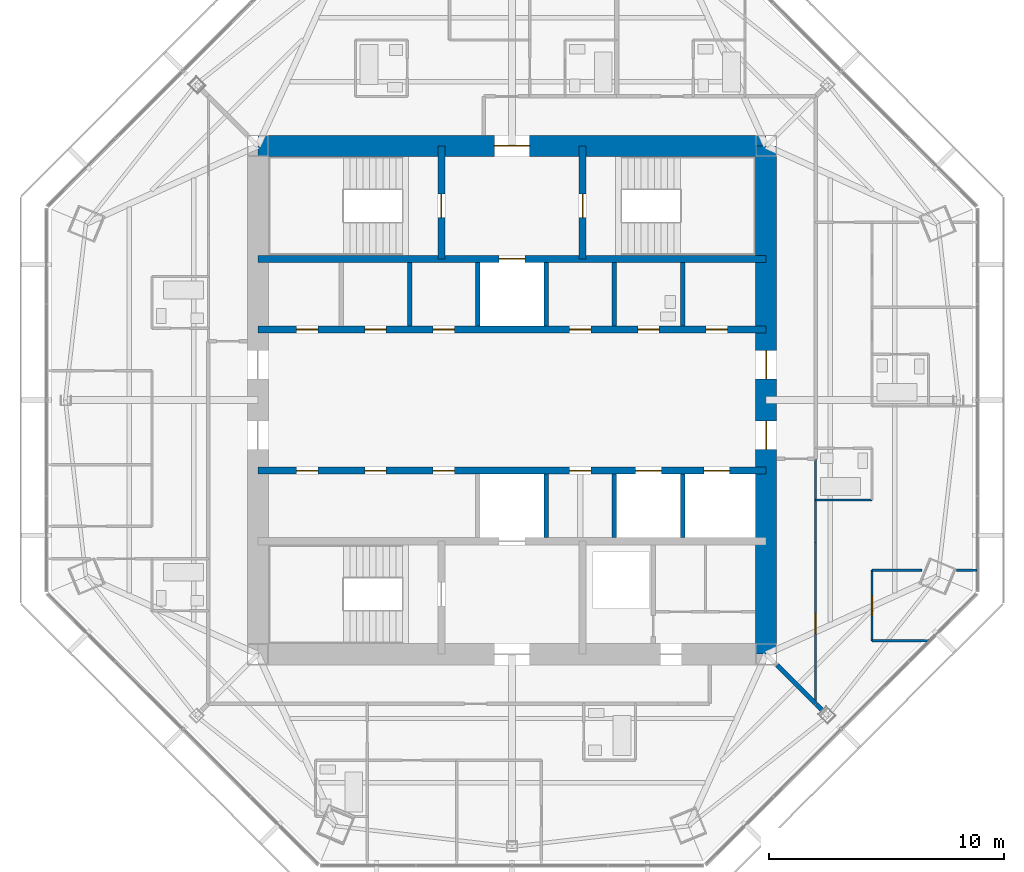
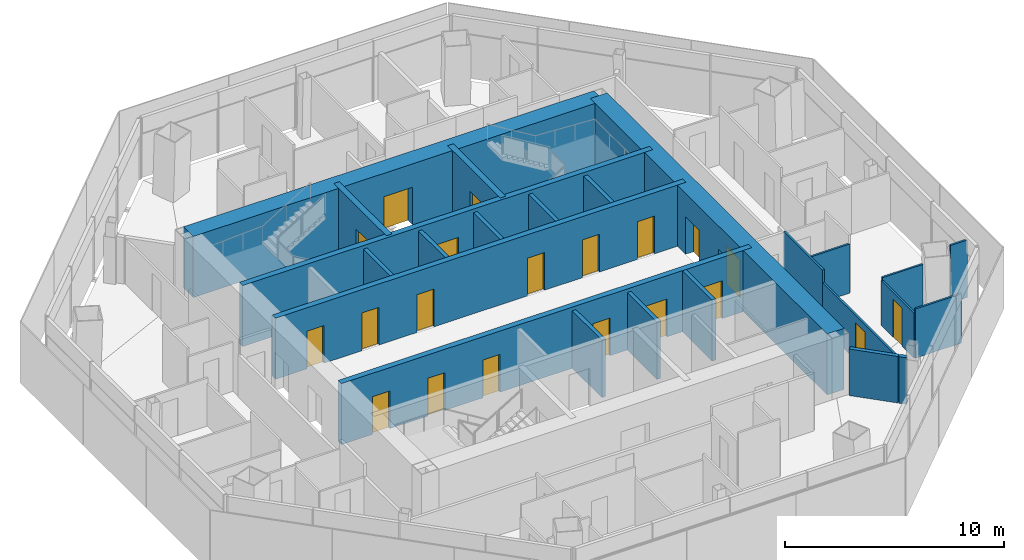
# One storey, part 10 of 15: 24 walls, 20 doors, 20 openings.
"""IFC4 building model written with IfcOpenShell, lengths in metres."""

from ifc_helpers import new_model, si_unit, direction, frame, frame_2d, origin, place, context, subcontext, project, spatial, rectangle, extrude, material, layer, layer_set, type_object, element, fill, save


model = new_model("IFC4")

# Units and contexts
model_context = context("Model", 3, precision=1e-05, world=origin(), true_north=direction((0.0, 1.0)))
body_context = subcontext(model_context, "Body", "Model", "MODEL_VIEW")
ifc_project = project(units=[si_unit("LENGTHUNIT", "METRE"), si_unit("AREAUNIT", "SQUARE_METRE"), si_unit("VOLUMEUNIT", "CUBIC_METRE"), si_unit("PLANEANGLEUNIT", "RADIAN"), si_unit("MASSUNIT", "GRAM", prefix="KILO")], contexts=[model_context])

# Site, building, storey
site_placement = place(None, origin())
site = spatial("IfcSite", under=ifc_project, at=site_placement, CompositionType="ELEMENT")
building_placement = place(site_placement, origin())
building = spatial("IfcBuilding", under=site, at=building_placement, Name="Mashrafa Tower", CompositionType="ELEMENT")
storey_placement = place(building_placement, frame((0.0, 0.0, 291.199951171875)))
storey = spatial("IfcBuildingStorey", under=building, at=storey_placement, Name="L71", CompositionType="ELEMENT", Elevation=291.199951171875)

# Walls
ifc_material_1 = material(Name="Gypsum board on steel studs", Category="steel")
ifc_layer_1 = layer(ifc_material_1, 0.199951171875)
ifc_layer_set_1 = layer_set([ifc_layer_1], Name="Acoustic partition 200 1 hr")
wall_type_1 = type_object("IfcWallType", Name="Acoustic partition 200 1 hr", PredefinedType="PARTITIONING", material=ifc_layer_set_1)
wall_1_placement = place(storey_placement, frame((12.925537109375, -12.925537109375, 0.0), z_axis=(0.0, 0.0, 1.0), x_axis=(0.707106781187, -0.707106781187, 0.0)))
element("IfcWall", 1, at=wall_1_placement, inside=storey, type_object=wall_type_1, Name="Acoustic wall L71-047", PredefinedType="PARTITIONING", context=body_context, shape_type="SweptSolid", body=[
    extrude(rectangle(XDim=0.357421875, YDim=0.199951171875, at=frame_2d((0.1787109375, 0.0))), origin(), (0.0, 0.0, 1.0), 2.590576171875),
])
wall_2_placement = place(storey_placement, frame((12.90087890625, -12.90087890625, 0.0), z_axis=(0.0, 0.0, 1.0), x_axis=(-0.707106781187, 0.707106781187, 0.0)))
element("IfcWall", 2, at=wall_2_placement, inside=storey, type_object=wall_type_1, Name="Acoustic wall L71-096", PredefinedType="PARTITIONING", context=body_context, shape_type="SweptSolid", body=[
    extrude(rectangle(XDim=2.307861328125, YDim=0.199951171875, at=frame_2d((1.15380859375, 0.0))), origin(), (0.0, 0.0, 1.0), 2.590576171875),
])

# Wall, openings, doors
ifc_material_2 = material(Name="Concrete C50/60", Category="concrete")
ifc_layer_2 = layer(ifc_material_2, 0.300048828125)
ifc_layer_set_2 = layer_set([ifc_layer_2], Name="Core wall 300 C50/60")
wall_type_2 = type_object("IfcWallType", Name="Core wall 300 C50/60", PredefinedType="SOLIDWALL", material=ifc_layer_set_2)
wall_3_placement = place(storey_placement, frame((-10.800048828125, 3.0, 0.0), z_axis=(0.0, 0.0, 1.0), x_axis=(1.0, 0.0, 0.0)))
wall_3 = element("IfcWall", 3, at=wall_3_placement, inside=storey, type_object=wall_type_2, Name="Core wall CH-N L71", PredefinedType="SOLIDWALL", context=body_context, shape_type="SweptSolid", body=[
    extrude(rectangle(XDim=21.60009765625, YDim=0.300048828125, at=frame_2d((10.800048828125, 0.0))), origin(), (0.0, 0.0, 1.0), 3.400146484375),
])
opening_1_placement = place(wall_3_placement, frame((1.64990234375, 0.0, 0.0)))
opening_1 = element("IfcOpeningElement", 4, at=opening_1_placement, cuts=wall_3, Name="Opening 71.043", PredefinedType="OPENING", context=body_context, shape_type="SweptSolid", body=[
    extrude(rectangle(XDim=0.89990234375, YDim=2.10009765625, at=frame_2d((0.449951171875, 1.050048828125))), frame((0.0, 0.159912109375, 0.0), z_axis=(0.0, -1.0, 0.0), x_axis=(1.0, 0.0, 0.0)), (0.0, 0.0, 1.0), 0.320068359375),
])
opening_2_placement = place(wall_3_placement, frame((4.550048828125, 0.0, 0.0)))
opening_2 = element("IfcOpeningElement", 5, at=opening_2_placement, cuts=wall_3, Name="Opening 71.044", PredefinedType="OPENING", context=body_context, shape_type="SweptSolid", body=[
    extrude(rectangle(XDim=0.89990234375, YDim=2.10009765625, at=frame_2d((0.449951171875, 1.050048828125))), frame((0.0, 0.159912109375, 0.0), z_axis=(0.0, -1.0, 0.0), x_axis=(1.0, 0.0, 0.0)), (0.0, 0.0, 1.0), 0.320068359375),
])
opening_3_placement = place(wall_3_placement, frame((13.25, 0.0, 0.0)))
opening_3 = element("IfcOpeningElement", 6, at=opening_3_placement, cuts=wall_3, Name="Opening 71.045", PredefinedType="OPENING", context=body_context, shape_type="SweptSolid", body=[
    extrude(rectangle(XDim=0.89990234375, YDim=2.10009765625, at=frame_2d((0.449951171875, 1.050048828125))), frame((0.0, 0.159912109375, 0.0), z_axis=(0.0, -1.0, 0.0), x_axis=(1.0, 0.0, 0.0)), (0.0, 0.0, 1.0), 0.320068359375),
])
opening_4_placement = place(wall_3_placement, frame((16.14990234375, 0.0, 0.0)))
opening_4 = element("IfcOpeningElement", 7, at=opening_4_placement, cuts=wall_3, Name="Opening 71.046", PredefinedType="OPENING", context=body_context, shape_type="SweptSolid", body=[
    extrude(rectangle(XDim=0.89990234375, YDim=2.10009765625, at=frame_2d((0.449951171875, 1.050048828125))), frame((0.0, 0.159912109375, 0.0), z_axis=(0.0, -1.0, 0.0), x_axis=(1.0, 0.0, 0.0)), (0.0, 0.0, 1.0), 0.320068359375),
])
opening_5_placement = place(wall_3_placement, frame((7.449951171875, 0.0, 0.0)))
opening_5 = element("IfcOpeningElement", 8, at=opening_5_placement, cuts=wall_3, Name="Opening 71.051", PredefinedType="OPENING", context=body_context, shape_type="SweptSolid", body=[
    extrude(rectangle(XDim=0.89990234375, YDim=2.10009765625, at=frame_2d((0.449951171875, 1.050048828125))), frame((0.0, 0.159912109375, 0.0), z_axis=(0.0, -1.0, 0.0), x_axis=(1.0, 0.0, 0.0)), (0.0, 0.0, 1.0), 0.320068359375),
])
opening_6_placement = place(wall_3_placement, frame((19.050048828125, 0.0, 0.0)))
opening_6 = element("IfcOpeningElement", 9, at=opening_6_placement, cuts=wall_3, Name="Opening 71.052", PredefinedType="OPENING", context=body_context, shape_type="SweptSolid", body=[
    extrude(rectangle(XDim=0.89990234375, YDim=2.10009765625, at=frame_2d((0.449951171875, 1.050048828125))), frame((0.0, 0.159912109375, 0.0), z_axis=(0.0, -1.0, 0.0), x_axis=(1.0, 0.0, 0.0)), (0.0, 0.0, 1.0), 0.320068359375),
])
ifc_material_3 = material(Name="Timber door", Category="wood")
door_type_1 = type_object("IfcDoorType", Name="Store door 900 x 2100", OperationType="USERDEFINED", PredefinedType="DOOR", material=ifc_material_3)
door_1_placement = place(opening_1_placement, origin())
door_1 = element("IfcDoor", 10, at=door_1_placement, inside=storey, type_object=door_type_1, Name="Refuse Chute Room L71 door", OperationType="SINGLE_SWING_RIGHT", OverallHeight=2.10009765625, OverallWidth=0.89990234375, PredefinedType="DOOR", context=body_context, shape_type="SweptSolid", body=[
    extrude(rectangle(XDim=0.89990234375, YDim=2.10009765625, at=frame_2d((0.449951171875, 1.050048828125))), frame((0.0, 0.02490234375, 0.0), z_axis=(0.0, -1.0, 0.0), x_axis=(1.0, 0.0, 0.0)), (0.0, 0.0, 1.0), 0.050048828125),
])
fill(opening_1, door_1)
door_2_placement = place(opening_2_placement, origin())
door_2 = element("IfcDoor", 11, at=door_2_placement, inside=storey, type_object=door_type_1, Name="Housekeeping Room L71 door", OperationType="SINGLE_SWING_LEFT", OverallHeight=2.10009765625, OverallWidth=0.89990234375, PredefinedType="DOOR", context=body_context, shape_type="SweptSolid", body=[
    extrude(rectangle(XDim=0.89990234375, YDim=2.10009765625, at=frame_2d((0.449951171875, 1.050048828125))), frame((0.0, 0.02490234375, 0.0), z_axis=(0.0, -1.0, 0.0), x_axis=(1.0, 0.0, 0.0)), (0.0, 0.0, 1.0), 0.050048828125),
])
fill(opening_2, door_2)
door_3_placement = place(opening_3_placement, origin())
door_3 = element("IfcDoor", 12, at=door_3_placement, inside=storey, type_object=door_type_1, Name="Cleaner's Store L71 door", OperationType="SINGLE_SWING_LEFT", OverallHeight=2.10009765625, OverallWidth=0.89990234375, PredefinedType="DOOR", context=body_context, shape_type="SweptSolid", body=[
    extrude(rectangle(XDim=0.89990234375, YDim=2.10009765625, at=frame_2d((0.449951171875, 1.050048828125))), frame((0.0, 0.02490234375, 0.0), z_axis=(0.0, -1.0, 0.0), x_axis=(1.0, 0.0, 0.0)), (0.0, 0.0, 1.0), 0.050048828125),
])
fill(opening_3, door_3)
door_4_placement = place(opening_5_placement, origin())
door_4 = element("IfcDoor", 13, at=door_4_placement, inside=storey, type_object=door_type_1, Name="Residents' Store L71-A3 door", OperationType="SINGLE_SWING_LEFT", OverallHeight=2.10009765625, OverallWidth=0.89990234375, PredefinedType="DOOR", context=body_context, shape_type="SweptSolid", body=[
    extrude(rectangle(XDim=0.89990234375, YDim=2.10009765625, at=frame_2d((0.449951171875, 1.050048828125))), frame((0.0, 0.02490234375, 0.0), z_axis=(0.0, -1.0, 0.0), x_axis=(1.0, 0.0, 0.0)), (0.0, 0.0, 1.0), 0.050048828125),
])
fill(opening_5, door_4)
door_5_placement = place(opening_6_placement, origin())
door_5 = element("IfcDoor", 14, at=door_5_placement, inside=storey, type_object=door_type_1, Name="Residents' Store L71-K2 door", OperationType="SINGLE_SWING_LEFT", OverallHeight=2.10009765625, OverallWidth=0.89990234375, PredefinedType="DOOR", context=body_context, shape_type="SweptSolid", body=[
    extrude(rectangle(XDim=0.89990234375, YDim=2.10009765625, at=frame_2d((0.449951171875, 1.050048828125))), frame((0.0, 0.02490234375, 0.0), z_axis=(0.0, -1.0, 0.0), x_axis=(1.0, 0.0, 0.0)), (0.0, 0.0, 1.0), 0.050048828125),
])
fill(opening_6, door_5)
ifc_material_4 = material(Name="Timber door", Category="wood")
door_type_2 = type_object("IfcDoorType", Name="Toilet door 900 x 2100", OperationType="USERDEFINED", PredefinedType="DOOR", material=ifc_material_4)
door_6_placement = place(opening_4_placement, origin())
door_6 = element("IfcDoor", 15, at=door_6_placement, inside=storey, type_object=door_type_2, Name="Staff WC L71 door", OperationType="SINGLE_SWING_LEFT", OverallHeight=2.10009765625, OverallWidth=0.89990234375, PredefinedType="DOOR", context=body_context, shape_type="SweptSolid", body=[
    extrude(rectangle(XDim=0.89990234375, YDim=2.10009765625, at=frame_2d((0.449951171875, 1.050048828125))), frame((0.0, 0.02490234375, 0.0), z_axis=(0.0, -1.0, 0.0), x_axis=(1.0, 0.0, 0.0)), (0.0, 0.0, 1.0), 0.050048828125),
])
fill(opening_4, door_6)

# Wall, opening, door
wall_4_placement = place(storey_placement, frame((-10.800048828125, 6.0, 0.0), z_axis=(0.0, 0.0, 1.0), x_axis=(1.0, 0.0, 0.0)))
wall_4 = element("IfcWall", 16, at=wall_4_placement, inside=storey, type_object=wall_type_2, Name="Core wall CB-N L71", PredefinedType="SOLIDWALL", context=body_context, shape_type="SweptSolid", body=[
    extrude(rectangle(XDim=21.60009765625, YDim=0.300048828125, at=frame_2d((10.800048828125, 0.0))), origin(), (0.0, 0.0, 1.0), 3.400146484375),
])
opening_7_placement = place(wall_4_placement, frame((10.25, 0.0, 0.0)))
opening_7 = element("IfcOpeningElement", 17, at=opening_7_placement, cuts=wall_4, Name="Opening 71.F1", PredefinedType="OPENING", context=body_context, shape_type="SweptSolid", body=[
    extrude(rectangle(XDim=1.10009765625, YDim=2.10009765625, at=frame_2d((0.550048828125, 1.050048828125))), frame((0.0, 0.159912109375, 0.0), z_axis=(0.0, -1.0, 0.0), x_axis=(1.0, 0.0, 0.0)), (0.0, 0.0, 1.0), 0.320068359375),
])
ifc_material_5 = material(Name="Steel door", Category="steel")
door_type_3 = type_object("IfcDoorType", Name="Lift landing door 1100 x 2100 90 min", OperationType="DOUBLE_DOOR_SLIDING", PredefinedType="DOOR", material=ifc_material_5)
door_7_placement = place(opening_7_placement, origin())
door_7 = element("IfcDoor", 18, at=door_7_placement, inside=storey, type_object=door_type_3, Name="Lift landing door F1 L71", OperationType="DOUBLE_DOOR_SLIDING", OverallHeight=2.10009765625, OverallWidth=1.10009765625, PredefinedType="DOOR", context=body_context, shape_type="SweptSolid", body=[
    extrude(rectangle(XDim=1.10009765625, YDim=2.10009765625, at=frame_2d((0.550048828125, 1.050048828125))), frame((0.0, 0.02490234375, 0.0), z_axis=(0.0, -1.0, 0.0), x_axis=(1.0, 0.0, 0.0)), (0.0, 0.0, 1.0), 0.050048828125),
])
fill(opening_7, door_7)

wall_5_placement = place(storey_placement, frame((-3.0, 6.0, 0.0), z_axis=(0.0, 0.0, 1.0), x_axis=(0.0, 1.0, 0.0)))
wall_5 = element("IfcWall", 19, at=wall_5_placement, inside=storey, type_object=wall_type_2, Name="Core wall CX-NW L71", PredefinedType="SOLIDWALL", context=body_context, shape_type="SweptSolid", body=[
    extrude(rectangle(XDim=4.800048828125, YDim=0.300048828125, at=frame_2d((2.39990234375, 0.0))), origin(), (0.0, 0.0, 1.0), 3.400146484375),
])
opening_8_placement = place(wall_5_placement, frame((1.75, 0.0, 0.0)))
opening_8 = element("IfcOpeningElement", 20, at=opening_8_placement, cuts=wall_5, Name="Opening 71.036", PredefinedType="OPENING", context=body_context, shape_type="SweptSolid", body=[
    extrude(rectangle(XDim=1.0, YDim=2.10009765625, at=frame_2d((0.5, 1.050048828125))), frame((0.0, 0.159912109375, 0.0), z_axis=(0.0, -1.0, 0.0), x_axis=(1.0, 0.0, 0.0)), (0.0, 0.0, 1.0), 0.320068359375),
])
ifc_material_6 = material(Name="Steel door", Category="steel")
door_type_4 = type_object("IfcDoorType", Name="Stair door 1000 x 2100 90 min", OperationType="USERDEFINED", PredefinedType="DOOR", material=ifc_material_6)
door_8_placement = place(opening_8_placement, origin())
door_8 = element("IfcDoor", 21, at=door_8_placement, inside=storey, type_object=door_type_4, Name="Stair S1 door L71", OperationType="SINGLE_SWING_LEFT", OverallHeight=2.10009765625, OverallWidth=1.0, PredefinedType="DOOR", context=body_context, shape_type="SweptSolid", body=[
    extrude(rectangle(XDim=1.0, YDim=2.10009765625, at=frame_2d((0.5, 1.050048828125))), frame((0.0, 0.02490234375, 0.0), z_axis=(0.0, -1.0, 0.0), x_axis=(1.0, 0.0, 0.0)), (0.0, 0.0, 1.0), 0.050048828125),
])
fill(opening_8, door_8)

wall_6_placement = place(storey_placement, frame((3.0, 6.0, 0.0), z_axis=(0.0, 0.0, 1.0), x_axis=(0.0, 1.0, 0.0)))
wall_6 = element("IfcWall", 22, at=wall_6_placement, inside=storey, type_object=wall_type_2, Name="Core wall CX-NE L71", PredefinedType="SOLIDWALL", context=body_context, shape_type="SweptSolid", body=[
    extrude(rectangle(XDim=4.800048828125, YDim=0.300048828125, at=frame_2d((2.39990234375, 0.0))), origin(), (0.0, 0.0, 1.0), 3.400146484375),
])
opening_9_placement = place(wall_6_placement, frame((1.75, 0.0, 0.0)))
opening_9 = element("IfcOpeningElement", 23, at=opening_9_placement, cuts=wall_6, Name="Opening 71.037", PredefinedType="OPENING", context=body_context, shape_type="SweptSolid", body=[
    extrude(rectangle(XDim=1.0, YDim=2.10009765625, at=frame_2d((0.5, 1.050048828125))), frame((0.0, 0.159912109375, 0.0), z_axis=(0.0, -1.0, 0.0), x_axis=(1.0, 0.0, 0.0)), (0.0, 0.0, 1.0), 0.320068359375),
])
door_9_placement = place(opening_9_placement, frame((1.0, 0.0, 0.0), z_axis=(0.0, 0.0, 1.0), x_axis=(-1.0, 0.0, 0.0)))
door_9 = element("IfcDoor", 24, at=door_9_placement, inside=storey, type_object=door_type_4, Name="Stair S2 door L71", OperationType="SINGLE_SWING_RIGHT", OverallHeight=2.10009765625, OverallWidth=1.0, PredefinedType="DOOR", context=body_context, shape_type="SweptSolid", body=[
    extrude(rectangle(XDim=1.0, YDim=2.10009765625, at=frame_2d((0.5, 1.050048828125))), frame((0.0, 0.02490234375, 0.0), z_axis=(0.0, -1.0, 0.0), x_axis=(1.0, 0.0, 0.0)), (0.0, 0.0, 1.0), 0.050048828125),
])
fill(opening_9, door_9)

# Wall, openings, doors
wall_7_placement = place(storey_placement, frame((-10.800048828125, -3.0, 0.0), z_axis=(0.0, 0.0, 1.0), x_axis=(1.0, 0.0, 0.0)))
wall_7 = element("IfcWall", 25, at=wall_7_placement, inside=storey, type_object=wall_type_2, Name="Core wall CH-S L71", PredefinedType="SOLIDWALL", context=body_context, shape_type="SweptSolid", body=[
    extrude(rectangle(XDim=21.60009765625, YDim=0.300048828125, at=frame_2d((10.800048828125, 0.0))), origin(), (0.0, 0.0, 1.0), 3.400146484375),
])
opening_10_placement = place(wall_7_placement, frame((13.25, 0.0, 0.0)))
opening_10 = element("IfcOpeningElement", 26, at=opening_10_placement, cuts=wall_7, Name="Opening 71.047", PredefinedType="OPENING", context=body_context, shape_type="SweptSolid", body=[
    extrude(rectangle(XDim=0.89990234375, YDim=2.10009765625, at=frame_2d((0.449951171875, 1.050048828125))), frame((0.0, 0.159912109375, 0.0), z_axis=(0.0, -1.0, 0.0), x_axis=(1.0, 0.0, 0.0)), (0.0, 0.0, 1.0), 0.320068359375),
])
opening_11_placement = place(wall_7_placement, frame((1.64990234375, 0.0, 0.0)))
opening_11 = element("IfcOpeningElement", 27, at=opening_11_placement, cuts=wall_7, Name="Opening 71.048", PredefinedType="OPENING", context=body_context, shape_type="SweptSolid", body=[
    extrude(rectangle(XDim=0.89990234375, YDim=2.10009765625, at=frame_2d((0.449951171875, 1.050048828125))), frame((0.0, 0.159912109375, 0.0), z_axis=(0.0, -1.0, 0.0), x_axis=(1.0, 0.0, 0.0)), (0.0, 0.0, 1.0), 0.320068359375),
])
opening_12_placement = place(wall_7_placement, frame((4.550048828125, 0.0, 0.0)))
opening_12 = element("IfcOpeningElement", 28, at=opening_12_placement, cuts=wall_7, Name="Opening 71.049", PredefinedType="OPENING", context=body_context, shape_type="SweptSolid", body=[
    extrude(rectangle(XDim=0.89990234375, YDim=2.10009765625, at=frame_2d((0.449951171875, 1.050048828125))), frame((0.0, 0.159912109375, 0.0), z_axis=(0.0, -1.0, 0.0), x_axis=(1.0, 0.0, 0.0)), (0.0, 0.0, 1.0), 0.320068359375),
])
opening_13_placement = place(wall_7_placement, frame((7.449951171875, 0.0, 0.0)))
opening_13 = element("IfcOpeningElement", 29, at=opening_13_placement, cuts=wall_7, Name="Opening 71.050", PredefinedType="OPENING", context=body_context, shape_type="SweptSolid", body=[
    extrude(rectangle(XDim=0.89990234375, YDim=2.10009765625, at=frame_2d((0.449951171875, 1.050048828125))), frame((0.0, 0.159912109375, 0.0), z_axis=(0.0, -1.0, 0.0), x_axis=(1.0, 0.0, 0.0)), (0.0, 0.0, 1.0), 0.320068359375),
])
opening_14_placement = place(wall_7_placement, frame((16.050048828125, 0.0, 0.0)))
opening_14 = element("IfcOpeningElement", 30, at=opening_14_placement, cuts=wall_7, Name="Opening 71.R1", PredefinedType="OPENING", context=body_context, shape_type="SweptSolid", body=[
    extrude(rectangle(XDim=1.10009765625, YDim=2.10009765625, at=frame_2d((0.550048828125, 1.050048828125))), frame((0.0, 0.159912109375, 0.0), z_axis=(0.0, -1.0, 0.0), x_axis=(1.0, 0.0, 0.0)), (0.0, 0.0, 1.0), 0.320068359375),
])
opening_15_placement = place(wall_7_placement, frame((18.949951171875, 0.0, 0.0)))
opening_15 = element("IfcOpeningElement", 31, at=opening_15_placement, cuts=wall_7, Name="Opening 71.R2", PredefinedType="OPENING", context=body_context, shape_type="SweptSolid", body=[
    extrude(rectangle(XDim=1.10009765625, YDim=2.10009765625, at=frame_2d((0.550048828125, 1.050048828125))), frame((0.0, 0.159912109375, 0.0), z_axis=(0.0, -1.0, 0.0), x_axis=(1.0, 0.0, 0.0)), (0.0, 0.0, 1.0), 0.320068359375),
])
door_10_placement = place(opening_14_placement, origin())
door_10 = element("IfcDoor", 32, at=door_10_placement, inside=storey, type_object=door_type_3, Name="Lift landing door R1 L71", OperationType="DOUBLE_DOOR_SLIDING", OverallHeight=2.10009765625, OverallWidth=1.10009765625, PredefinedType="DOOR", context=body_context, shape_type="SweptSolid", body=[
    extrude(rectangle(XDim=1.10009765625, YDim=2.10009765625, at=frame_2d((0.550048828125, 1.050048828125))), frame((0.0, 0.02490234375, 0.0), z_axis=(0.0, -1.0, 0.0), x_axis=(1.0, 0.0, 0.0)), (0.0, 0.0, 1.0), 0.050048828125),
])
fill(opening_14, door_10)
door_11_placement = place(opening_15_placement, origin())
door_11 = element("IfcDoor", 33, at=door_11_placement, inside=storey, type_object=door_type_3, Name="Lift landing door R2 L71", OperationType="DOUBLE_DOOR_SLIDING", OverallHeight=2.10009765625, OverallWidth=1.10009765625, PredefinedType="DOOR", context=body_context, shape_type="SweptSolid", body=[
    extrude(rectangle(XDim=1.10009765625, YDim=2.10009765625, at=frame_2d((0.550048828125, 1.050048828125))), frame((0.0, 0.02490234375, 0.0), z_axis=(0.0, -1.0, 0.0), x_axis=(1.0, 0.0, 0.0)), (0.0, 0.0, 1.0), 0.050048828125),
])
fill(opening_15, door_11)
door_12_placement = place(opening_10_placement, frame((0.89990234375, 0.0, 0.0), z_axis=(0.0, 0.0, 1.0), x_axis=(-1.0, 0.0, 0.0)))
door_12 = element("IfcDoor", 34, at=door_12_placement, inside=storey, type_object=door_type_1, Name="Linen Store L71 door", OperationType="SINGLE_SWING_RIGHT", OverallHeight=2.10009765625, OverallWidth=0.89990234375, PredefinedType="DOOR", context=body_context, shape_type="SweptSolid", body=[
    extrude(rectangle(XDim=0.89990234375, YDim=2.10009765625, at=frame_2d((0.449951171875, 1.050048828125))), frame((0.0, 0.02490234375, 0.0), z_axis=(0.0, -1.0, 0.0), x_axis=(1.0, 0.0, 0.0)), (0.0, 0.0, 1.0), 0.050048828125),
])
fill(opening_10, door_12)
door_13_placement = place(opening_11_placement, frame((0.89990234375, 0.0, 0.0), z_axis=(0.0, 0.0, 1.0), x_axis=(-1.0, 0.0, 0.0)))
door_13 = element("IfcDoor", 35, at=door_13_placement, inside=storey, type_object=door_type_1, Name="Butler's Pantry L71 door", OperationType="SINGLE_SWING_RIGHT", OverallHeight=2.10009765625, OverallWidth=0.89990234375, PredefinedType="DOOR", context=body_context, shape_type="SweptSolid", body=[
    extrude(rectangle(XDim=0.89990234375, YDim=2.10009765625, at=frame_2d((0.449951171875, 1.050048828125))), frame((0.0, 0.02490234375, 0.0), z_axis=(0.0, -1.0, 0.0), x_axis=(1.0, 0.0, 0.0)), (0.0, 0.0, 1.0), 0.050048828125),
])
fill(opening_11, door_13)
door_14_placement = place(opening_12_placement, frame((0.89990234375, 0.0, 0.0), z_axis=(0.0, 0.0, 1.0), x_axis=(-1.0, 0.0, 0.0)))
door_14 = element("IfcDoor", 36, at=door_14_placement, inside=storey, type_object=door_type_1, Name="Butler's Pantry L71 door", OperationType="SINGLE_SWING_LEFT", OverallHeight=2.10009765625, OverallWidth=0.89990234375, PredefinedType="DOOR", context=body_context, shape_type="SweptSolid", body=[
    extrude(rectangle(XDim=0.89990234375, YDim=2.10009765625, at=frame_2d((0.449951171875, 1.050048828125))), frame((0.0, 0.02490234375, 0.0), z_axis=(0.0, -1.0, 0.0), x_axis=(1.0, 0.0, 0.0)), (0.0, 0.0, 1.0), 0.050048828125),
])
fill(opening_12, door_14)
door_15_placement = place(opening_13_placement, frame((0.89990234375, 0.0, 0.0), z_axis=(0.0, 0.0, 1.0), x_axis=(-1.0, 0.0, 0.0)))
door_15 = element("IfcDoor", 37, at=door_15_placement, inside=storey, type_object=door_type_1, Name="Butler's Pantry L71 door", OperationType="SINGLE_SWING_LEFT", OverallHeight=2.10009765625, OverallWidth=0.89990234375, PredefinedType="DOOR", context=body_context, shape_type="SweptSolid", body=[
    extrude(rectangle(XDim=0.89990234375, YDim=2.10009765625, at=frame_2d((0.449951171875, 1.050048828125))), frame((0.0, 0.02490234375, 0.0), z_axis=(0.0, -1.0, 0.0), x_axis=(1.0, 0.0, 0.0)), (0.0, 0.0, 1.0), 0.050048828125),
])
fill(opening_13, door_15)

ifc_material_7 = material(Name="Concrete C50/60", Category="concrete")
ifc_layer_3 = layer(ifc_material_7, 0.89990234375)
ifc_layer_set_3 = layer_set([ifc_layer_3], Name="Core wall 900 C50/60")
wall_type_3 = type_object("IfcWallType", Name="Core wall 900 C50/60", PredefinedType="SOLIDWALL", material=ifc_layer_set_3)
wall_8_placement = place(storey_placement, frame((10.800048828125, -10.800048828125, 0.0), z_axis=(0.0, 0.0, 1.0), x_axis=(0.0, 1.0, 0.0)))
wall_8 = element("IfcWall", 38, at=wall_8_placement, inside=storey, type_object=wall_type_3, Name="Core wall CW-E L71", PredefinedType="SOLIDWALL", context=body_context, shape_type="SweptSolid", body=[
    extrude(rectangle(XDim=21.60009765625, YDim=0.89990234375, at=frame_2d((10.800048828125, 0.0))), origin(), (0.0, 0.0, 1.0), 3.400146484375),
])
opening_16_placement = place(wall_8_placement, frame((11.699951171875, 0.0, 0.0)))
opening_16 = element("IfcOpeningElement", 39, at=opening_16_placement, cuts=wall_8, Name="Opening 71.030", PredefinedType="OPENING", context=body_context, shape_type="SweptSolid", body=[
    extrude(rectangle(XDim=1.199951171875, YDim=2.10009765625, at=frame_2d((0.60009765625, 1.050048828125))), frame((0.0, 0.4599609375, 0.0), z_axis=(0.0, -1.0, 0.0), x_axis=(1.0, 0.0, 0.0)), (0.0, 0.0, 1.0), 0.919921875),
])
opening_17_placement = place(wall_8_placement, frame((8.699951171875, 0.0, 0.0)))
opening_17 = element("IfcOpeningElement", 40, at=opening_17_placement, cuts=wall_8, Name="Opening 71.032", PredefinedType="OPENING", context=body_context, shape_type="SweptSolid", body=[
    extrude(rectangle(XDim=1.199951171875, YDim=2.10009765625, at=frame_2d((0.60009765625, 1.050048828125))), frame((0.0, 0.4599609375, 0.0), z_axis=(0.0, -1.0, 0.0), x_axis=(1.0, 0.0, 0.0)), (0.0, 0.0, 1.0), 0.919921875),
])
ifc_material_8 = material(Name="Steel door", Category="steel")
door_type_5 = type_object("IfcDoorType", Name="Lift hall door 1200 x 2100 90 min", OperationType="USERDEFINED", PredefinedType="DOOR", material=ifc_material_8)
door_16_placement = place(opening_16_placement, frame((1.199951171875, 0.0, 0.0), z_axis=(0.0, 0.0, 1.0), x_axis=(-1.0, 0.0, 0.0)))
door_16 = element("IfcDoor", 41, at=door_16_placement, inside=storey, type_object=door_type_5, Name="Lift hall door east L71", OperationType="SINGLE_SWING_RIGHT", OverallHeight=2.10009765625, OverallWidth=1.199951171875, PredefinedType="DOOR", context=body_context, shape_type="SweptSolid", body=[
    extrude(rectangle(XDim=1.199951171875, YDim=2.10009765625, at=frame_2d((0.60009765625, 1.050048828125))), frame((0.0, 0.02490234375, 0.0), z_axis=(0.0, -1.0, 0.0), x_axis=(1.0, 0.0, 0.0)), (0.0, 0.0, 1.0), 0.050048828125),
])
fill(opening_16, door_16)
door_17_placement = place(opening_17_placement, origin())
door_17 = element("IfcDoor", 42, at=door_17_placement, inside=storey, type_object=door_type_5, Name="Lift hall door east L71", OperationType="SINGLE_SWING_LEFT", OverallHeight=2.10009765625, OverallWidth=1.199951171875, PredefinedType="DOOR", context=body_context, shape_type="SweptSolid", body=[
    extrude(rectangle(XDim=1.199951171875, YDim=2.10009765625, at=frame_2d((0.60009765625, 1.050048828125))), frame((0.0, 0.02490234375, 0.0), z_axis=(0.0, -1.0, 0.0), x_axis=(1.0, 0.0, 0.0)), (0.0, 0.0, 1.0), 0.050048828125),
])
fill(opening_17, door_17)

# Wall, opening, door
wall_9_placement = place(storey_placement, frame((10.800048828125, 10.800048828125, 0.0), z_axis=(0.0, 0.0, 1.0), x_axis=(-1.0, 0.0, 0.0)))
wall_9 = element("IfcWall", 43, at=wall_9_placement, inside=storey, type_object=wall_type_3, Name="Core wall CW-N L71", PredefinedType="SOLIDWALL", context=body_context, shape_type="SweptSolid", body=[
    extrude(rectangle(XDim=21.60009765625, YDim=0.89990234375, at=frame_2d((10.800048828125, 0.0))), origin(), (0.0, 0.0, 1.0), 3.400146484375),
])
opening_18_placement = place(wall_9_placement, frame((10.050048828125, 0.0, 0.0)))
opening_18 = element("IfcOpeningElement", 44, at=opening_18_placement, cuts=wall_9, Name="Opening 71.034", PredefinedType="OPENING", context=body_context, shape_type="SweptSolid", body=[
    extrude(rectangle(XDim=1.5, YDim=2.10009765625, at=frame_2d((0.75, 1.050048828125))), frame((0.0, 0.4599609375, 0.0), z_axis=(0.0, -1.0, 0.0), x_axis=(1.0, 0.0, 0.0)), (0.0, 0.0, 1.0), 0.919921875),
])
ifc_material_9 = material(Name="Steel door", Category="steel")
door_type_6 = type_object("IfcDoorType", Name="Lobby door pair 1500 x 2100 90 min", OperationType="DOUBLE_DOOR_SINGLE_SWING", PredefinedType="DOOR", material=ifc_material_9)
door_18_placement = place(opening_18_placement, origin())
door_18 = element("IfcDoor", 45, at=door_18_placement, inside=storey, type_object=door_type_6, Name="Fire-fighting lobby F1 door L71", OperationType="DOUBLE_DOOR_SINGLE_SWING", OverallHeight=2.10009765625, OverallWidth=1.5, PredefinedType="DOOR", context=body_context, shape_type="SweptSolid", body=[
    extrude(rectangle(XDim=1.5, YDim=2.10009765625, at=frame_2d((0.75, 1.050048828125))), frame((0.0, 0.02490234375, 0.0), z_axis=(0.0, -1.0, 0.0), x_axis=(1.0, 0.0, 0.0)), (0.0, 0.0, 1.0), 0.050048828125),
])
fill(opening_18, door_18)

# Walls
ifc_material_10 = material(Name="Gypsum board on steel studs", Category="steel")
ifc_layer_4 = layer(ifc_material_10, 0.10009765625)
ifc_layer_set_4 = layer_set([ifc_layer_4], Name="Partition 100")
wall_type_4 = type_object("IfcWallType", Name="Partition 100", PredefinedType="PARTITIONING", material=ifc_layer_set_4)
wall_10_placement = place(storey_placement, frame((19.759033203125, -7.232666015625, 0.0), z_axis=(0.0, 0.0, 1.0), x_axis=(-1.0, 0.0, 0.0)))
element("IfcWall", 46, at=wall_10_placement, inside=storey, type_object=wall_type_4, Name="Partition wall L71-023", PredefinedType="PARTITIONING", context=body_context, shape_type="SweptSolid", body=[
    extrude(rectangle(XDim=0.88037109375, YDim=0.10009765625, at=frame_2d((0.440185546875, 0.0))), origin(), (0.0, 0.0, 1.0), 3.199951171875),
])
wall_11_placement = place(storey_placement, frame((17.42529296875, -7.232666015625, 0.0), z_axis=(0.0, 0.0, 1.0), x_axis=(-1.0, 0.0, 0.0)))
element("IfcWall", 47, at=wall_11_placement, inside=storey, type_object=wall_type_4, Name="Partition wall L71-024", PredefinedType="PARTITIONING", context=body_context, shape_type="SweptSolid", body=[
    extrude(rectangle(XDim=2.125244140625, YDim=0.10009765625, at=frame_2d((1.0625, 0.0))), origin(), (0.0, 0.0, 1.0), 2.661865234375),
])

# Wall, opening, door
wall_12_placement = place(storey_placement, frame((15.300048828125, -7.232666015625, 0.0), z_axis=(0.0, 0.0, 1.0), x_axis=(0.0, -1.0, 0.0)))
wall_12 = element("IfcWall", 48, at=wall_12_placement, inside=storey, type_object=wall_type_4, Name="Partition wall L71-025", PredefinedType="PARTITIONING", context=body_context, shape_type="SweptSolid", body=[
    extrude(rectangle(XDim=3.0, YDim=0.10009765625, at=frame_2d((1.5, 0.0))), origin(), (0.0, 0.0, 1.0), 2.49658203125),
])
opening_19_placement = place(wall_12_placement, frame((1.074951171875, 0.0, 0.0)))
opening_19 = element("IfcOpeningElement", 49, at=opening_19_placement, cuts=wall_12, Name="Opening 71.001", PredefinedType="OPENING", context=body_context, shape_type="SweptSolid", body=[
    extrude(rectangle(XDim=0.85009765625, YDim=2.10009765625, at=frame_2d((0.425048828125, 1.050048828125))), frame((0.0, 0.06005859375, 0.0), z_axis=(0.0, -1.0, 0.0), x_axis=(1.0, 0.0, 0.0)), (0.0, 0.0, 1.0), 0.1201171875),
])
ifc_material_11 = material(Name="Timber door", Category="wood")
door_type_7 = type_object("IfcDoorType", Name="Bedroom door 850 x 2100", OperationType="USERDEFINED", PredefinedType="DOOR", material=ifc_material_11)
door_19_placement = place(opening_19_placement, origin())
door_19 = element("IfcDoor", 50, at=door_19_placement, inside=storey, type_object=door_type_7, Name="Apartment 7101 Dining Room door", OperationType="SINGLE_SWING_RIGHT", OverallHeight=2.10009765625, OverallWidth=0.85009765625, PredefinedType="DOOR", context=body_context, shape_type="SweptSolid", body=[
    extrude(rectangle(XDim=0.85009765625, YDim=2.10009765625, at=frame_2d((0.425048828125, 1.050048828125))), frame((0.0, 0.02490234375, 0.0), z_axis=(0.0, -1.0, 0.0), x_axis=(1.0, 0.0, 0.0)), (0.0, 0.0, 1.0), 0.050048828125),
])
fill(opening_19, door_19)

# Walls
wall_13_placement = place(storey_placement, frame((15.300048828125, -10.232666015625, 0.0), z_axis=(0.0, 0.0, 1.0), x_axis=(1.0, 0.0, 0.0)))
element("IfcWall", 51, at=wall_13_placement, inside=storey, type_object=wall_type_4, Name="Partition wall L71-026", PredefinedType="PARTITIONING", context=body_context, shape_type="SweptSolid", body=[
    extrude(rectangle(XDim=2.41259765625, YDim=0.10009765625, at=frame_2d((1.206298828125, 0.0))), origin(), (0.0, 0.0, 1.0), 2.740478515625),
])
wall_14_placement = place(storey_placement, frame((15.300048828125, -4.25, 0.0), z_axis=(0.0, 0.0, 1.0), x_axis=(-1.0, 0.0, 0.0)))
element("IfcWall", 52, at=wall_14_placement, inside=storey, type_object=wall_type_4, Name="Partition wall L71-030", PredefinedType="PARTITIONING", context=body_context, shape_type="SweptSolid", body=[
    extrude(rectangle(XDim=2.400146484375, YDim=0.10009765625, at=frame_2d((1.2001953125, 0.0))), origin(), (0.0, 0.0, 1.0), 2.73046875),
])
wall_15_placement = place(storey_placement, frame((12.89990234375, -6.050048828125, 0.0), z_axis=(0.0, 0.0, 1.0), x_axis=(0.0, 1.0, 0.0)))
element("IfcWall", 53, at=wall_15_placement, inside=storey, type_object=wall_type_4, Name="Partition wall L71-031", PredefinedType="PARTITIONING", context=body_context, shape_type="SweptSolid", body=[
    extrude(rectangle(XDim=3.551025390625, YDim=0.10009765625, at=frame_2d((1.775390625, 0.0))), origin(), (0.0, 0.0, 1.0), 3.199951171875),
])

# Wall, opening, door
wall_16_placement = place(storey_placement, frame((12.89990234375, -6.050048828125, 0.0), z_axis=(0.0, 0.0, 1.0), x_axis=(0.0, -1.0, 0.0)))
wall_16 = element("IfcWall", 54, at=wall_16_placement, inside=storey, type_object=wall_type_4, Name="Partition wall L71-048", PredefinedType="PARTITIONING", context=body_context, shape_type="SweptSolid", body=[
    extrude(rectangle(XDim=6.849853515625, YDim=0.10009765625, at=frame_2d((3.4248046875, 0.0))), origin(), (0.0, 0.0, 1.0), 2.49658203125),
])
opening_20_placement = place(wall_16_placement, frame((3.0, 0.0, 0.0)))
opening_20 = element("IfcOpeningElement", 55, at=opening_20_placement, cuts=wall_16, Name="Opening 71.008", PredefinedType="OPENING", context=body_context, shape_type="SweptSolid", body=[
    extrude(rectangle(XDim=0.85009765625, YDim=2.10009765625, at=frame_2d((0.425048828125, 1.050048828125))), frame((0.0, 0.06005859375, 0.0), z_axis=(0.0, -1.0, 0.0), x_axis=(1.0, 0.0, 0.0)), (0.0, 0.0, 1.0), 0.1201171875),
])
door_20_placement = place(opening_20_placement, origin())
door_20 = element("IfcDoor", 56, at=door_20_placement, inside=storey, type_object=door_type_7, Name="Apartment 7101 Living Room door", OperationType="SINGLE_SWING_RIGHT", OverallHeight=2.10009765625, OverallWidth=0.85009765625, PredefinedType="DOOR", context=body_context, shape_type="SweptSolid", body=[
    extrude(rectangle(XDim=0.85009765625, YDim=2.10009765625, at=frame_2d((0.425048828125, 1.050048828125))), frame((0.0, 0.02490234375, 0.0), z_axis=(0.0, -1.0, 0.0), x_axis=(1.0, 0.0, 0.0)), (0.0, 0.0, 1.0), 0.050048828125),
])
fill(opening_20, door_20)

# Walls
ifc_material_12 = material(Name="Gypsum shaft wall on steel studs", Category="steel")
ifc_layer_5 = layer(ifc_material_12, 0.199951171875)
ifc_layer_set_5 = layer_set([ifc_layer_5], Name="Shaft divider wall 200 2 hr")
wall_type_5 = type_object("IfcWallType", Name="Shaft divider wall 200 2 hr", PredefinedType="PARTITIONING", material=ifc_layer_set_5)
for number, where, z_axis, x_axis, name in (
    (57, (-4.35009765625, 3.14990234375, 0.0), (0.0, 0.0, 1.0), (0.0, 1.0, 0.0), "Shaft divider wall N2 L71"),
    (58, (-1.449951171875, 3.14990234375, 0.0), (0.0, 0.0, 1.0), (0.0, 1.0, 0.0), "Shaft divider wall N3 L71"),
    (59, (1.449951171875, 3.14990234375, 0.0), (0.0, 0.0, 1.0), (0.0, 1.0, 0.0), "Shaft divider wall N4 L71"),
    (60, (4.35009765625, 3.14990234375, 0.0), (0.0, 0.0, 1.0), (0.0, 1.0, 0.0), "Shaft divider wall N5 L71"),
    (61, (7.25, 3.14990234375, 0.0), (0.0, 0.0, 1.0), (0.0, 1.0, 0.0), "Shaft divider wall N6 L71"),
    (62, (1.449951171875, -5.85009765625, 0.0), (0.0, 0.0, 1.0), (0.0, 1.0, 0.0), "Shaft divider wall S4 L71"),
    (63, (4.35009765625, -5.85009765625, 0.0), (0.0, 0.0, 1.0), (0.0, 1.0, 0.0), "Shaft divider wall S5 L71"),
):
    element("IfcWall", number, at=place(storey_placement, frame(where, z_axis=z_axis, x_axis=x_axis)), inside=storey, type_object=wall_type_5, Name=name, PredefinedType="PARTITIONING", context=body_context, shape_type="SweptSolid", body=[
        extrude(rectangle(XDim=2.7001953125, YDim=0.199951171875, at=frame_2d((1.35009765625, 0.0))), origin(), (0.0, 0.0, 1.0), 3.199951171875),
    ])
wall_17_placement = place(storey_placement, frame((7.25, -5.85009765625, 0.0), z_axis=(0.0, 0.0, 1.0), x_axis=(0.0, 1.0, 0.0)))
element("IfcWall", 64, at=wall_17_placement, inside=storey, type_object=wall_type_5, Name="Shaft divider wall S6 L71", PredefinedType="PARTITIONING", context=body_context, shape_type="SweptSolid", body=[
    extrude(rectangle(XDim=2.7001953125, YDim=0.199951171875, at=frame_2d((1.35009765625, 0.0))), origin(), (0.0, 0.0, 1.0), 3.400146484375),
])

save(model, "model.ifc")
